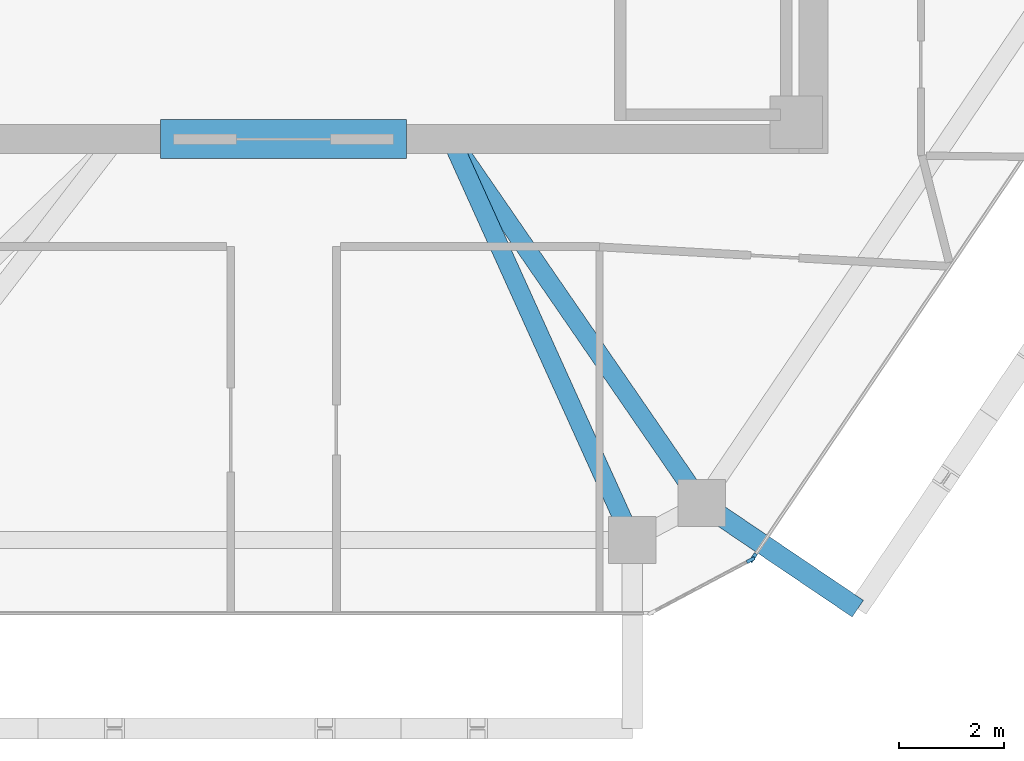
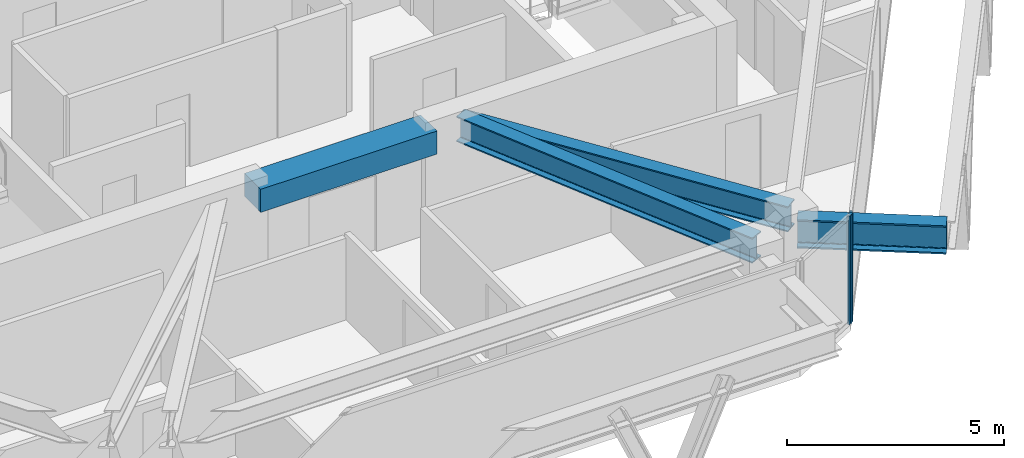
# One storey, part 3 of 11: 4 beams, 2 members, 2 elements without a shape of their own.
"""IFC4 building model written with IfcOpenShell, lengths in metres."""

from ifc_helpers import new_model, si_unit, direction, frame, origin, origin_2d, place, context, subcontext, project, spatial, rectangle, i_section, extrude, source, transform, mapped, material, layer, layer_set, material_profile, profile_set, type_object, type_shapes, element, aggregate, save


model = new_model("IFC4")

# Units and contexts
model_context = context("Model", 3, precision=1e-05, world=origin(), true_north=direction((0.0, 1.0)))
body_context = subcontext(model_context, "Body", "Model", "MODEL_VIEW")
ifc_project = project(units=[si_unit("LENGTHUNIT", "METRE"), si_unit("AREAUNIT", "SQUARE_METRE"), si_unit("VOLUMEUNIT", "CUBIC_METRE"), si_unit("PLANEANGLEUNIT", "RADIAN"), si_unit("MASSUNIT", "GRAM", prefix="KILO")], contexts=[model_context])

# Site, building, storey
site_placement = place(None, origin())
site = spatial("IfcSite", under=ifc_project, at=site_placement, CompositionType="ELEMENT")
building_placement = place(site_placement, origin())
building = spatial("IfcBuilding", under=site, at=building_placement, Name="Durnholm Broadcast Tower", CompositionType="ELEMENT")
storey_placement = place(building_placement, frame((0.0, 0.0, 238.10009765625)))
storey = spatial("IfcBuildingStorey", under=building, at=storey_placement, Name="L66", CompositionType="ELEMENT", Elevation=238.10009765625)

# Beams
ifc_material_1 = material(Name="Concrete C70/85", Category="concrete")
ifc_material_profile_1 = material_profile(ifc_material_1, rectangle(XDim=0.75, YDim=0.64990234375, at=origin_2d()), Name="RC750X650")
ifc_profile_set_1 = profile_set([ifc_material_profile_1], Name="Concrete C70/85")
beam_type_1 = type_object("IfcBeamType", Name="BM-CB-RC650", PredefinedType="LINTEL", material=ifc_profile_set_1)
shared_shape_1 = source(origin(), body_context, "Body", "SweptSolid", [
    extrude(rectangle(XDim=0.75, YDim=0.64990234375, at=origin_2d()), origin(), (0.0, 0.0, 1.0), 4.7001953125),
])
type_shapes(beam_type_1, [shared_shape_1])
beam_1_placement = place(storey_placement, frame((-2.35009765625, -8.125, 2.72998046875), z_axis=(1.0, 0.0, 0.0), x_axis=(0.0, 1.0, 0.0)))
element("IfcBeam", 1, at=beam_1_placement, inside=storey, type_object=beam_type_1, Name="L66 south core coupling lintel beam CB-S", PredefinedType="LINTEL", context=body_context, shape_type="MappedRepresentation", body=[
    mapped(shared_shape_1, transform((0.0, 0.0, 0.0), x_axis=(1.0, 0.0, 0.0), y_axis=(0.0, 1.0, 0.0), z_axis=(0.0, 0.0, 1.0), scale=1.0)),
])
ifc_material_2 = material(Name="Steel ASTM A992 Grade 50", Category="steel")
ifc_material_profile_2 = material_profile(ifc_material_2, i_section(OverallWidth=0.385009765625, OverallDepth=0.802978515625, WebThickness=0.023681640625, FlangeThickness=0.0419921875, FilletRadius=0.032958984375, at=origin_2d()), Name="W30X261")
ifc_profile_set_2 = profile_set([ifc_material_profile_2], Name="Steel ASTM A992 Grade 50")
beam_type_2 = type_object("IfcBeamType", Name="BM-EXO-TIE", PredefinedType="USERDEFINED", material=ifc_profile_set_2)
shared_shape_2 = source(origin(), body_context, "Body", "SweptSolid", [
    extrude(i_section(OverallWidth=0.385009765625, OverallDepth=0.802978515625, WebThickness=0.023681640625, FlangeThickness=0.0419921875, FilletRadius=0.032958984375, at=origin_2d()), origin(), (0.0, 0.0, 1.0), 3.4560546875),
])
type_shapes(beam_type_2, [shared_shape_2])
beam_2_placement = place(storey_placement, frame((8.110107421875, -15.161865234375, 2.308349609375), z_axis=(0.828468499792, -0.560035663911, 0.0), x_axis=(0.560035663911, 0.828468499792, 0.0)))
element("IfcBeam", 2, at=beam_2_placement, inside=storey, type_object=beam_type_2, Name="L66 exoskeleton stand-off tie bracket F2.1", ObjectType="GIRDER", PredefinedType="USERDEFINED", context=body_context, shape_type="MappedRepresentation", body=[
    mapped(shared_shape_2, transform((0.0, 0.0, 0.0), x_axis=(1.0, 0.0, 0.0), y_axis=(0.0, 1.0, 0.0), z_axis=(0.0, 0.0, 1.0), scale=1.0)),
])
ifc_material_profile_3 = material_profile(ifc_material_2, i_section(OverallWidth=0.3564453125, OverallDepth=0.713623046875, WebThickness=0.01904296875, FlangeThickness=0.033935546875, FilletRadius=0.030517578125, at=origin_2d()), Name="W27X194")
ifc_profile_set_3 = profile_set([ifc_material_profile_3], Name="Steel ASTM A992 Grade 50")
beam_type_3 = type_object("IfcBeamType", Name="STL-GR-W27X194", PredefinedType="USERDEFINED", material=ifc_profile_set_3)
shared_shape_3 = source(origin(), body_context, "Body", "SweptSolid", [
    extrude(i_section(OverallWidth=0.3564453125, OverallDepth=0.713623046875, WebThickness=0.01904296875, FlangeThickness=0.033935546875, FilletRadius=0.030517578125, at=origin_2d()), origin(), (0.0, 0.0, 1.0), 8.446533203125),
])
beam_3_placement = place(storey_placement, frame((3.199951171875, -8.125, 2.68798828125), z_axis=(0.567216806915, -0.823568511997, 0.0), x_axis=(0.823568511997, 0.567216806915, 0.0)))
element("IfcBeam", 3, at=beam_3_placement, inside=storey, type_object=beam_type_3, Name="L66 radial primary floor girder 10", ObjectType="GIRDER", PredefinedType="USERDEFINED", context=body_context, shape_type="MappedRepresentation", body=[
    mapped(shared_shape_3, transform((0.0, 0.0, 0.0), x_axis=(1.0, 0.0, 0.0), y_axis=(0.0, 1.0, 0.0), z_axis=(0.0, 0.0, 1.0), scale=1.0)),
])
shared_shape_4 = source(origin(), body_context, "Body", "SweptSolid", [
    extrude(i_section(OverallWidth=0.3564453125, OverallDepth=0.713623046875, WebThickness=0.01904296875, FlangeThickness=0.033935546875, FilletRadius=0.030517578125, at=origin_2d()), origin(), (0.0, 0.0, 1.0), 8.407470703125),
])
type_shapes(beam_type_3, [shared_shape_3, shared_shape_4])
beam_4_placement = place(storey_placement, frame((3.199951171875, -8.125, 2.68798828125), z_axis=(0.411992813642, -0.911187094678, 0.0), x_axis=(0.911187094678, 0.411992813642, 0.0)))
element("IfcBeam", 4, at=beam_4_placement, inside=storey, type_object=beam_type_3, Name="L66 radial primary floor girder 11", ObjectType="GIRDER", PredefinedType="USERDEFINED", context=body_context, shape_type="MappedRepresentation", body=[
    mapped(shared_shape_4, transform((0.0, 0.0, 0.0), x_axis=(1.0, 0.0, 0.0), y_axis=(0.0, 1.0, 0.0), z_axis=(0.0, 0.0, 1.0), scale=1.0)),
])

# Curtain wall, member
ifc_material_3 = material(Name="Aluminium and Solar Control IGU", Category="aluminium")
ifc_layer_1 = layer(ifc_material_3, 0.1650390625)
ifc_layer_set_1 = layer_set([ifc_layer_1], Name="Aluminium and Solar Control IGU")
curtain_wall_type_1 = type_object("IfcCurtainWallType", Name="CW-SYS-5", PredefinedType="NOTDEFINED", material=ifc_layer_set_1)
curtain_wall_1_placement = place(storey_placement, origin())
curtain_wall_1 = element("IfcCurtainWall", 5, at=curtain_wall_1_placement, inside=storey, type_object=curtain_wall_type_1, Name="L66 curtain wall CW-CORNER CW-L66-CRN-09", PredefinedType="NOTDEFINED")
ifc_material_4 = material(Name="Aluminium 6063-T6", Category="aluminium")
ifc_material_profile_4 = material_profile(ifc_material_4, rectangle(XDim=0.06494140625, YDim=0.1650390625, at=origin_2d()), Name="CWM65X165")
ifc_profile_set_4 = profile_set([ifc_material_profile_4], Name="Aluminium 6063-T6")
member_type_1 = type_object("IfcMemberType", Name="CW-SYS-5-MUL", PredefinedType="MULLION", material=ifc_profile_set_4)
shared_shape_5 = source(origin(), body_context, "Body", "SweptSolid", [
    extrude(rectangle(XDim=0.06494140625, YDim=0.1650390625, at=origin_2d()), origin(), (0.0, 0.0, 1.0), 3.059814453125),
])
type_shapes(member_type_1, [shared_shape_5])
member_1_placement = place(storey_placement, frame((8.9267578125, -16.16943359375, 0.0), z_axis=(0.0, 0.0, 1.0), x_axis=(0.469006771575, -0.883194569853, 0.0)))
member_1 = element("IfcMember", 6, at=member_1_placement, type_object=member_type_1, Name="CW-CORNER mullion 1", PredefinedType="MULLION", context=body_context, shape_type="MappedRepresentation", body=[
    mapped(shared_shape_5, transform((0.0, 0.0, 0.0), x_axis=(1.0, 0.0, 0.0), y_axis=(0.0, 1.0, 0.0), z_axis=(0.0, 0.0, 1.0), scale=1.0)),
])
aggregate(curtain_wall_1, [member_1])

ifc_layer_2 = layer(ifc_material_3, 0.18994140625)
ifc_layer_set_2 = layer_set([ifc_layer_2], Name="Aluminium and Solar Control IGU")
curtain_wall_type_2 = type_object("IfcCurtainWallType", Name="CW-SYS-4", PredefinedType="NOTDEFINED", material=ifc_layer_set_2)
curtain_wall_2_placement = place(storey_placement, origin())
curtain_wall_2 = element("IfcCurtainWall", 7, at=curtain_wall_2_placement, inside=storey, type_object=curtain_wall_type_2, Name="L66 curtain wall CW-Z34-VIS CW-L66-F08", PredefinedType="NOTDEFINED")
ifc_material_profile_5 = material_profile(ifc_material_4, rectangle(XDim=0.070068359375, YDim=0.18994140625, at=origin_2d()), Name="CWM70X190")
ifc_profile_set_5 = profile_set([ifc_material_profile_5], Name="Aluminium 6063-T6")
member_type_2 = type_object("IfcMemberType", Name="CW-SYS-4-MUL", PredefinedType="MULLION", material=ifc_profile_set_5)
shared_shape_6 = source(origin(), body_context, "Body", "SweptSolid", [
    extrude(rectangle(XDim=0.070068359375, YDim=0.18994140625, at=origin_2d()), origin(), (0.0, 0.0, 1.0), 3.059814453125),
])
type_shapes(member_type_2, [shared_shape_6])
member_2_placement = place(storey_placement, frame((8.97509765625, -16.125244140625, 0.0), z_axis=(0.0, 0.0, 1.0), x_axis=(0.828443431662, -0.560072745753, 0.0)))
member_2 = element("IfcMember", 8, at=member_2_placement, type_object=member_type_2, Name="CW-Z34-VIS mullion 2", PredefinedType="MULLION", context=body_context, shape_type="MappedRepresentation", body=[
    mapped(shared_shape_6, transform((0.0, 0.0, 0.0), x_axis=(1.0, 0.0, 0.0), y_axis=(0.0, 1.0, 0.0), z_axis=(0.0, 0.0, 1.0), scale=1.0)),
])
aggregate(curtain_wall_2, [member_2])

save(model, "model.ifc")
